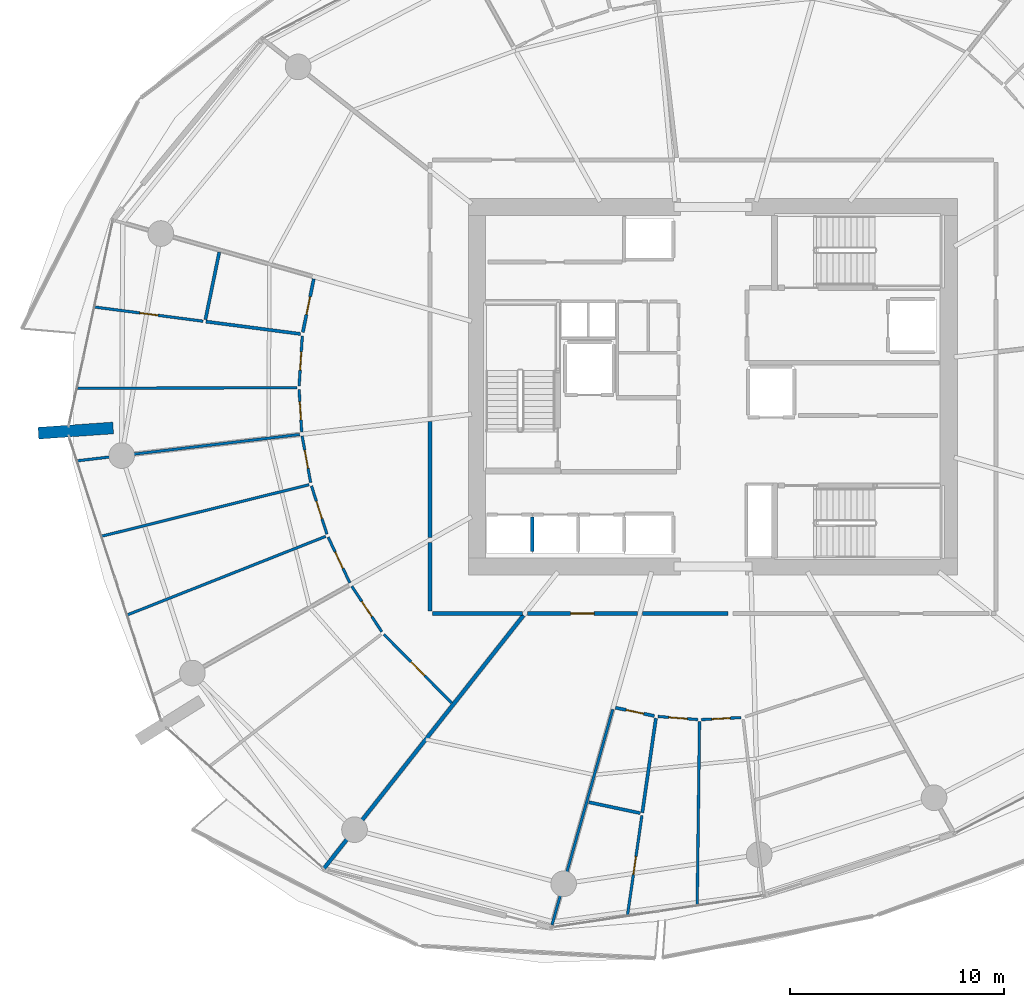
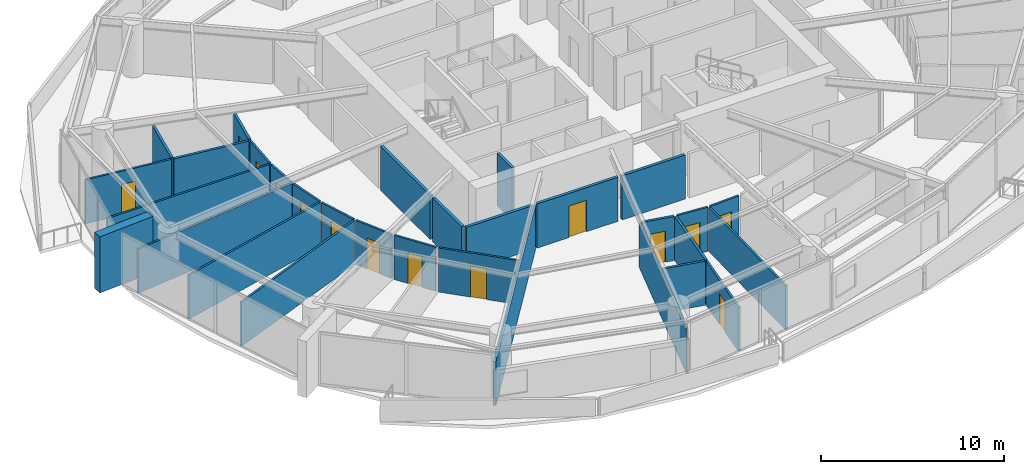
# One storey, part 11 of 23: 31 walls, 14 doors, 14 openings.
"""IFC4 building model written with IfcOpenShell, lengths in metres."""

from ifc_helpers import new_model, si_unit, direction, frame, frame_2d, origin, place, context, subcontext, project, spatial, rectangle, extrude, material, layer, layer_set, type_object, element, fill, save


model = new_model("IFC4")

# Units and contexts
model_context = context("Model", 3, precision=1e-05, world=origin(), true_north=direction((0.0, 1.0)))
body_context = subcontext(model_context, "Body", "Model", "MODEL_VIEW")
ifc_project = project(units=[si_unit("LENGTHUNIT", "METRE"), si_unit("AREAUNIT", "SQUARE_METRE"), si_unit("VOLUMEUNIT", "CUBIC_METRE"), si_unit("PLANEANGLEUNIT", "RADIAN"), si_unit("MASSUNIT", "GRAM", prefix="KILO")], contexts=[model_context])

# Site, building, storey
site_placement = place(None, origin())
site = spatial("IfcSite", under=ifc_project, at=site_placement, CompositionType="ELEMENT")
building_placement = place(site_placement, origin())
building = spatial("IfcBuilding", under=site, at=building_placement, Name="Kazma Halo Residences", CompositionType="ELEMENT")
storey_placement = place(building_placement, frame((0.0, 0.0, 97.64990234375)))
storey = spatial("IfcBuildingStorey", under=building, at=storey_placement, Name="L24", CompositionType="ELEMENT", Elevation=97.64990234375)

# Walls
ifc_material_1 = material(Name="Pale Concrete C60/75", Category="concrete")
ifc_layer_1 = layer(ifc_material_1, 0.550048828125)
ifc_layer_set_1 = layer_set([ifc_layer_1], Name="Pale Concrete C60/75")
wall_type_1 = type_object("IfcWallType", Name="WL-BLADE-550", PredefinedType="SOLIDWALL", material=ifc_layer_set_1)
wall_1_placement = place(storey_placement, frame((20.393798828125, 40.069580078125, 0.0), z_axis=(0.0, 0.0, 1.0), x_axis=(-0.997564163539, -0.069754853754, 0.0)))
element("IfcWall", 1, at=wall_1_placement, inside=storey, type_object=wall_type_1, Name="L24 pale concrete structural blade fin wall BW-02", PredefinedType="SOLIDWALL", context=body_context, shape_type="SweptSolid", body=[
    extrude(rectangle(XDim=3.5, YDim=0.550048828125, at=frame_2d((1.75, 0.0))), origin(), (0.0, 0.0, 1.0), 3.75),
])
ifc_material_2 = material(Name="Acoustic Twin-Stud Gypsum")
ifc_layer_2 = layer(ifc_material_2, 0.179931640625)
ifc_layer_set_2 = layer_set([ifc_layer_2], Name="Acoustic Twin-Stud Gypsum")
wall_type_2 = type_object("IfcWallType", Name="WL-DEM-180", PredefinedType="PARTITIONING", material=ifc_layer_set_2)
wall_2_placement = place(storey_placement, frame((39.575439453125, 31.313720703125, 0.0), z_axis=(0.0, 0.0, 1.0), x_axis=(-0.619083417853, -0.785325233098, 0.0)))
element("IfcWall", 2, at=wall_2_placement, inside=storey, type_object=wall_type_2, Name="L24 apartment demising radial wall 09", PredefinedType="PARTITIONING", context=body_context, shape_type="SweptSolid", body=[
    extrude(rectangle(XDim=15.063232421875, YDim=0.179931640625, at=frame_2d((7.53173828125, 0.0))), origin(), (0.0, 0.0, 1.0), 2.940185546875),
])
wall_3_placement = place(storey_placement, frame((35.199951171875, 40.364990234375, 0.0), z_axis=(0.0, 0.0, 1.0), x_axis=(0.0, -1.0, 0.0)))
element("IfcWall", 3, at=wall_3_placement, inside=storey, type_object=wall_type_2, Name="L24 Apartment 1 inner wall 7", PredefinedType="PARTITIONING", context=body_context, shape_type="SweptSolid", body=[
    extrude(rectangle(XDim=5.413330078125, YDim=0.179931640625, at=frame_2d((2.70654296875, 0.0))), origin(), (0.0, 0.0, 1.0), 2.940185546875),
])
wall_4_placement = place(storey_placement, frame((35.199951171875, 34.711669921875, 0.0), z_axis=(0.0, 0.0, 1.0), x_axis=(0.0, -1.0, 0.0)))
element("IfcWall", 4, at=wall_4_placement, inside=storey, type_object=wall_type_2, Name="L24 Apartment 1 inner wall 8", PredefinedType="PARTITIONING", context=body_context, shape_type="SweptSolid", body=[
    extrude(rectangle(XDim=3.191650390625, YDim=0.179931640625, at=frame_2d((1.595703125, 0.0))), origin(), (0.0, 0.0, 1.0), 2.940185546875),
])
wall_5_placement = place(storey_placement, frame((35.320068359375, 31.39990234375, 0.0), z_axis=(0.0, 0.0, 1.0), x_axis=(1.0, 0.0, 0.0)))
element("IfcWall", 5, at=wall_5_placement, inside=storey, type_object=wall_type_2, Name="L24 Apartment 1 inner wall 8", PredefinedType="PARTITIONING", context=body_context, shape_type="SweptSolid", body=[
    extrude(rectangle(XDim=4.20361328125, YDim=0.179931640625, at=frame_2d((2.101806640625, 0.0))), origin(), (0.0, 0.0, 1.0), 2.940185546875),
])

# Wall, opening, door
wall_6_placement = place(storey_placement, frame((39.763671875, 31.39990234375, 0.0), z_axis=(0.0, 0.0, 1.0), x_axis=(1.0, 0.0, 0.0)))
wall_6 = element("IfcWall", 6, at=wall_6_placement, inside=storey, type_object=wall_type_2, Name="L24 Apartment 2 entrance corridor wall", PredefinedType="PARTITIONING", context=body_context, shape_type="SweptSolid", body=[
    extrude(rectangle(XDim=5.126708984375, YDim=0.179931640625, at=frame_2d((2.5634765625, 0.0))), origin(), (0.0, 0.0, 1.0), 2.940185546875),
])
opening_1_placement = place(wall_6_placement, frame((2.013427734375, 0.0, 0.0)))
opening_1 = element("IfcOpeningElement", 7, at=opening_1_placement, cuts=wall_6, Name="Opening DA-1100", PredefinedType="OPENING", context=body_context, shape_type="SweptSolid", body=[
    extrude(rectangle(XDim=1.10009765625, YDim=2.10009765625, at=frame_2d((0.550048828125, 1.050048828125))), frame((0.0, 0.099853515625, 0.0), z_axis=(0.0, -1.0, 0.0), x_axis=(1.0, 0.0, 0.0)), (0.0, 0.0, 1.0), 0.199951171875),
])
ifc_material_3 = material(Name="Acoustic Walnut Fire Leaf")
door_type_1 = type_object("IfcDoorType", Name="DR-FD60-1100", OperationType="NOTDEFINED", PredefinedType="DOOR", material=ifc_material_3)
door_1_placement = place(opening_1_placement, origin())
door_1 = element("IfcDoor", 8, at=door_1_placement, inside=storey, type_object=door_type_1, Name="L24 Apartment 2 entrance fire door", OperationType="SINGLE_SWING_LEFT", OverallHeight=2.10009765625, OverallWidth=1.10009765625, PredefinedType="DOOR", context=body_context, shape_type="SweptSolid", body=[
    extrude(rectangle(XDim=1.10009765625, YDim=2.10009765625, at=frame_2d((0.550048828125, 1.050048828125))), frame((0.0, 0.02490234375, 0.0), z_axis=(0.0, -1.0, 0.0), x_axis=(1.0, 0.0, 0.0)), (0.0, 0.0, 1.0), 0.050048828125),
])
fill(opening_1, door_1)

# Walls
wall_7_placement = place(storey_placement, frame((45.130615234375, 31.39990234375, 0.0), z_axis=(0.0, 0.0, 1.0), x_axis=(1.0, 0.0, 0.0)))
element("IfcWall", 9, at=wall_7_placement, inside=storey, type_object=wall_type_2, Name="L24 Apartment 2 inner wall 10", PredefinedType="PARTITIONING", context=body_context, shape_type="SweptSolid", body=[
    extrude(rectangle(XDim=4.00390625, YDim=0.179931640625, at=frame_2d((2.001953125, 0.0))), origin(), (0.0, 0.0, 1.0), 2.940185546875),
])
ifc_material_4 = material(Name="Fire-Rated Blockwork Masonry", Category="masonry")
ifc_layer_3 = layer(ifc_material_4, 0.199951171875)
ifc_layer_set_3 = layer_set([ifc_layer_3], Name="Fire-Rated Blockwork Masonry")
wall_type_3 = type_object("IfcWallType", Name="WL-FLB-200", PredefinedType="PARTITIONING", material=ifc_layer_set_3)
wall_8_placement = place(storey_placement, frame((39.97509765625, 34.294921875, 0.0), z_axis=(0.0, 0.0, 1.0), x_axis=(0.0, 1.0, 0.0)))
element("IfcWall", 10, at=wall_8_placement, inside=storey, type_object=wall_type_3, Name="L24 lift shaft PL-01 side wall E", PredefinedType="PARTITIONING", context=body_context, shape_type="SweptSolid", body=[
    extrude(rectangle(XDim=1.610107421875, YDim=0.159912109375, at=frame_2d((0.80517578125, 0.0))), origin(), (0.0, 0.0, 1.0), 3.5),
])

# Wall, opening, door
ifc_material_5 = material(Name="Gypsum Plasterboard Partition")
ifc_layer_4 = layer(ifc_material_5, 0.125)
ifc_layer_set_4 = layer_set([ifc_layer_4], Name="Gypsum Plasterboard Partition")
wall_type_4 = type_object("IfcWallType", Name="WL-PART-125", PredefinedType="PARTITIONING", material=ifc_layer_set_4)
wall_9_placement = place(storey_placement, frame((24.60009765625, 45.058837890625, 0.0), z_axis=(0.0, 0.0, 1.0), x_axis=(-0.991566000337, 0.129602727501, 0.0)))
wall_9 = element("IfcWall", 11, at=wall_9_placement, inside=storey, type_object=wall_type_4, Name="L24 Apartment 1 Household Store Room partition wall", PredefinedType="PARTITIONING", context=body_context, shape_type="SweptSolid", body=[
    extrude(rectangle(XDim=5.108642578125, YDim=0.125, at=frame_2d((2.55419921875, 0.0))), origin(), (0.0, 0.0, 1.0), 2.940185546875),
])
opening_2_placement = place(wall_9_placement, frame((2.12939453125, 0.0, 0.0)))
opening_2 = element("IfcOpeningElement", 12, at=opening_2_placement, cuts=wall_9, Name="Opening DB-900", PredefinedType="OPENING", context=body_context, shape_type="SweptSolid", body=[
    extrude(rectangle(XDim=0.85009765625, YDim=2.06005859375, at=frame_2d((0.425048828125, 1.030029296875))), frame((0.0, 0.072509765625, 0.0), z_axis=(0.0, -1.0, 0.0), x_axis=(1.0, 0.0, 0.0)), (0.0, 0.0, 1.0), 0.14501953125),
])
ifc_material_6 = material(Name="Moisture-Sealed Timber Leaf", Category="wood")
door_type_2 = type_object("IfcDoorType", Name="DR-BTH-900", OperationType="NOTDEFINED", PredefinedType="DOOR", material=ifc_material_6)
door_2_placement = place(opening_2_placement, origin())
door_2 = element("IfcDoor", 13, at=door_2_placement, inside=storey, type_object=door_type_2, Name="L24 Apartment 1 Household Store Room door", OperationType="SINGLE_SWING_RIGHT", OverallHeight=2.06005859375, OverallWidth=0.85009765625, PredefinedType="DOOR", context=body_context, shape_type="SweptSolid", body=[
    extrude(rectangle(XDim=0.85009765625, YDim=2.06005859375, at=frame_2d((0.425048828125, 1.030029296875))), frame((0.0, 0.02490234375, 0.0), z_axis=(0.0, -1.0, 0.0), x_axis=(1.0, 0.0, 0.0)), (0.0, 0.0, 1.0), 0.050048828125),
])
fill(opening_2, door_2)

# Wall
wall_10_placement = place(storey_placement, frame((28.9912109375, 41.950927734375, 0.0), z_axis=(0.0, 0.0, 1.0), x_axis=(-0.999996643903, -0.002590788034, 0.0)))
element("IfcWall", 14, at=wall_10_placement, inside=storey, type_object=wall_type_4, Name="L24 Apartment 1 suite divider 6", PredefinedType="PARTITIONING", context=body_context, shape_type="SweptSolid", body=[
    extrude(rectangle(XDim=10.271484375, YDim=0.125, at=frame_2d((5.1357421875, 0.0))), origin(), (0.0, 0.0, 1.0), 2.940185546875),
])

# Wall, opening, door
wall_11_placement = place(storey_placement, frame((29.23486328125, 44.3623046875, 0.0), z_axis=(0.0, 0.0, 1.0), x_axis=(-0.063647003528, -0.99797247404, 0.0)))
wall_11 = element("IfcWall", 15, at=wall_11_placement, inside=storey, type_object=wall_type_4, Name="L24 Apartment 1 Gourmet Kitchen hall wall", PredefinedType="PARTITIONING", context=body_context, shape_type="SweptSolid", body=[
    extrude(rectangle(XDim=2.3359375, YDim=0.125, at=frame_2d((1.16796875, 0.0))), origin(), (0.0, 0.0, 1.0), 2.940185546875),
])
opening_3_placement = place(wall_11_placement, frame((0.7431640625, 0.0, 0.0)))
opening_3 = element("IfcOpeningElement", 16, at=opening_3_placement, cuts=wall_11, Name="Opening DB-900", PredefinedType="OPENING", context=body_context, shape_type="SweptSolid", body=[
    extrude(rectangle(XDim=0.85009765625, YDim=2.06005859375, at=frame_2d((0.425048828125, 1.030029296875))), frame((0.0, 0.072509765625, 0.0), z_axis=(0.0, -1.0, 0.0), x_axis=(1.0, 0.0, 0.0)), (0.0, 0.0, 1.0), 0.14501953125),
])
door_3_placement = place(opening_3_placement, origin())
door_3 = element("IfcDoor", 17, at=door_3_placement, inside=storey, type_object=door_type_2, Name="L24 Apartment 1 Gourmet Kitchen door", OperationType="SINGLE_SWING_LEFT", OverallHeight=2.06005859375, OverallWidth=0.85009765625, PredefinedType="DOOR", context=body_context, shape_type="SweptSolid", body=[
    extrude(rectangle(XDim=0.85009765625, YDim=2.06005859375, at=frame_2d((0.425048828125, 1.030029296875))), frame((0.0, 0.02490234375, 0.0), z_axis=(0.0, -1.0, 0.0), x_axis=(1.0, 0.0, 0.0)), (0.0, 0.0, 1.0), 0.050048828125),
])
fill(opening_3, door_3)

wall_12_placement = place(storey_placement, frame((29.0859375, 41.87109375, 0.0), z_axis=(0.0, 0.0, 1.0), x_axis=(0.060104090143, -0.99819211495, 0.0)))
wall_12 = element("IfcWall", 18, at=wall_12_placement, inside=storey, type_object=wall_type_4, Name="L24 Apartment 1 Primary Bedroom hall wall", PredefinedType="PARTITIONING", context=body_context, shape_type="SweptSolid", body=[
    extrude(rectangle(XDim=1.99853515625, YDim=0.125, at=frame_2d((0.999267578125, 0.0))), origin(), (0.0, 0.0, 1.0), 2.940185546875),
])
opening_4_placement = place(wall_12_placement, frame((0.574462890625, 0.0, 0.0)))
opening_4 = element("IfcOpeningElement", 19, at=opening_4_placement, cuts=wall_12, Name="Opening DB-900", PredefinedType="OPENING", context=body_context, shape_type="SweptSolid", body=[
    extrude(rectangle(XDim=0.85009765625, YDim=2.06005859375, at=frame_2d((0.425048828125, 1.030029296875))), frame((0.0, 0.072509765625, 0.0), z_axis=(0.0, -1.0, 0.0), x_axis=(1.0, 0.0, 0.0)), (0.0, 0.0, 1.0), 0.14501953125),
])
door_4_placement = place(opening_4_placement, origin())
door_4 = element("IfcDoor", 20, at=door_4_placement, inside=storey, type_object=door_type_2, Name="L24 Apartment 1 Primary Bedroom door", OperationType="SINGLE_SWING_RIGHT", OverallHeight=2.06005859375, OverallWidth=0.85009765625, PredefinedType="DOOR", context=body_context, shape_type="SweptSolid", body=[
    extrude(rectangle(XDim=0.85009765625, YDim=2.06005859375, at=frame_2d((0.425048828125, 1.030029296875))), frame((0.0, 0.02490234375, 0.0), z_axis=(0.0, -1.0, 0.0), x_axis=(1.0, 0.0, 0.0)), (0.0, 0.0, 1.0), 0.050048828125),
])
fill(opening_4, door_4)

# Walls
wall_13_placement = place(storey_placement, frame((29.11279296875, 39.764404296875, 0.0), z_axis=(0.0, 0.0, 1.0), x_axis=(-0.993070875002, -0.117516965677, 0.0)))
element("IfcWall", 21, at=wall_13_placement, inside=storey, type_object=wall_type_4, Name="L24 Apartment 1 radial partition 7", PredefinedType="PARTITIONING", context=body_context, shape_type="SweptSolid", body=[
    extrude(rectangle(XDim=10.460205078125, YDim=0.125, at=frame_2d((5.22998046875, 0.0))), origin(), (0.0, 0.0, 1.0), 2.940185546875),
])
wall_14_placement = place(storey_placement, frame((29.5517578125, 37.41748046875, 0.0), z_axis=(0.0, 0.0, 1.0), x_axis=(-0.970504192203, -0.241084244437, 0.0)))
element("IfcWall", 22, at=wall_14_placement, inside=storey, type_object=wall_type_4, Name="L24 Apartment 1 bay wall 1 7", PredefinedType="PARTITIONING", context=body_context, shape_type="SweptSolid", body=[
    extrude(rectangle(XDim=9.975830078125, YDim=0.125, at=frame_2d((4.98779296875, 0.0))), origin(), (0.0, 0.0, 1.0), 2.940185546875),
])
wall_15_placement = place(storey_placement, frame((30.325927734375, 35.00244140625, 0.0), z_axis=(0.0, 0.0, 1.0), x_axis=(-0.929777602375, -0.368121732748, 0.0)))
element("IfcWall", 23, at=wall_15_placement, inside=storey, type_object=wall_type_4, Name="L24 Apartment 1 bay wall 2 7", PredefinedType="PARTITIONING", context=body_context, shape_type="SweptSolid", body=[
    extrude(rectangle(XDim=9.960693359375, YDim=0.125, at=frame_2d((4.98046875, 0.0))), origin(), (0.0, 0.0, 1.0), 2.940185546875),
])

# Wall, opening, door
wall_16_placement = place(storey_placement, frame((29.2265625, 39.697509765625, 0.0), z_axis=(0.0, 0.0, 1.0), x_axis=(0.179602920825, -0.983739188419, 0.0)))
wall_16 = element("IfcWall", 24, at=wall_16_placement, inside=storey, type_object=wall_type_4, Name="L24 Apartment 1 East Bedroom hall wall", PredefinedType="PARTITIONING", context=body_context, shape_type="SweptSolid", body=[
    extrude(rectangle(XDim=2.2158203125, YDim=0.125, at=frame_2d((1.10791015625, 0.0))), origin(), (0.0, 0.0, 1.0), 2.940185546875),
])
opening_5_placement = place(wall_16_placement, frame((0.682861328125, 0.0, 0.0)))
opening_5 = element("IfcOpeningElement", 25, at=opening_5_placement, cuts=wall_16, Name="Opening DB-900", PredefinedType="OPENING", context=body_context, shape_type="SweptSolid", body=[
    extrude(rectangle(XDim=0.85009765625, YDim=2.06005859375, at=frame_2d((0.425048828125, 1.030029296875))), frame((0.0, 0.072509765625, 0.0), z_axis=(0.0, -1.0, 0.0), x_axis=(1.0, 0.0, 0.0)), (0.0, 0.0, 1.0), 0.14501953125),
])
door_5_placement = place(opening_5_placement, origin())
door_5 = element("IfcDoor", 26, at=door_5_placement, inside=storey, type_object=door_type_2, Name="L24 Apartment 1 East Bedroom door", OperationType="SINGLE_SWING_LEFT", OverallHeight=2.06005859375, OverallWidth=0.85009765625, PredefinedType="DOOR", context=body_context, shape_type="SweptSolid", body=[
    extrude(rectangle(XDim=0.85009765625, YDim=2.06005859375, at=frame_2d((0.425048828125, 1.030029296875))), frame((0.0, 0.02490234375, 0.0), z_axis=(0.0, -1.0, 0.0), x_axis=(1.0, 0.0, 0.0)), (0.0, 0.0, 1.0), 0.050048828125),
])
fill(opening_5, door_5)

wall_17_placement = place(storey_placement, frame((29.663330078125, 37.36279296875, 0.0), z_axis=(0.0, 0.0, 1.0), x_axis=(0.305393983716, -0.952226083822, 0.0)))
wall_17 = element("IfcWall", 27, at=wall_17_placement, inside=storey, type_object=wall_type_4, Name="L24 Apartment 1 West Study hall wall", PredefinedType="PARTITIONING", context=body_context, shape_type="SweptSolid", body=[
    extrude(rectangle(XDim=2.364013671875, YDim=0.125, at=frame_2d((1.18212890625, 0.0))), origin(), (0.0, 0.0, 1.0), 2.940185546875),
])
opening_6_placement = place(wall_17_placement, frame((0.757080078125, 0.0, 0.0)))
opening_6 = element("IfcOpeningElement", 28, at=opening_6_placement, cuts=wall_17, Name="Opening DB-900", PredefinedType="OPENING", context=body_context, shape_type="SweptSolid", body=[
    extrude(rectangle(XDim=0.85009765625, YDim=2.06005859375, at=frame_2d((0.425048828125, 1.030029296875))), frame((0.0, 0.072509765625, 0.0), z_axis=(0.0, -1.0, 0.0), x_axis=(1.0, 0.0, 0.0)), (0.0, 0.0, 1.0), 0.14501953125),
])
door_6_placement = place(opening_6_placement, origin())
door_6 = element("IfcDoor", 29, at=door_6_placement, inside=storey, type_object=door_type_2, Name="L24 Apartment 1 West Study door", OperationType="SINGLE_SWING_RIGHT", OverallHeight=2.06005859375, OverallWidth=0.85009765625, PredefinedType="DOOR", context=body_context, shape_type="SweptSolid", body=[
    extrude(rectangle(XDim=0.85009765625, YDim=2.06005859375, at=frame_2d((0.425048828125, 1.030029296875))), frame((0.0, 0.02490234375, 0.0), z_axis=(0.0, -1.0, 0.0), x_axis=(1.0, 0.0, 0.0)), (0.0, 0.0, 1.0), 0.050048828125),
])
fill(opening_6, door_6)

wall_18_placement = place(storey_placement, frame((30.44384765625, 34.963134765625, 0.0), z_axis=(0.0, 0.0, 1.0), x_axis=(0.429404357622, -0.903112339443, 0.0)))
wall_18 = element("IfcWall", 30, at=wall_18_placement, inside=storey, type_object=wall_type_4, Name="L24 Apartment 1 North Bedroom hall wall", PredefinedType="PARTITIONING", context=body_context, shape_type="SweptSolid", body=[
    extrude(rectangle(XDim=2.364013671875, YDim=0.125, at=frame_2d((1.18212890625, 0.0))), origin(), (0.0, 0.0, 1.0), 2.940185546875),
])
opening_7_placement = place(wall_18_placement, frame((0.757080078125, 0.0, 0.0)))
opening_7 = element("IfcOpeningElement", 31, at=opening_7_placement, cuts=wall_18, Name="Opening DB-900", PredefinedType="OPENING", context=body_context, shape_type="SweptSolid", body=[
    extrude(rectangle(XDim=0.85009765625, YDim=2.06005859375, at=frame_2d((0.425048828125, 1.030029296875))), frame((0.0, 0.072509765625, 0.0), z_axis=(0.0, -1.0, 0.0), x_axis=(1.0, 0.0, 0.0)), (0.0, 0.0, 1.0), 0.14501953125),
])
door_7_placement = place(opening_7_placement, origin())
door_7 = element("IfcDoor", 32, at=door_7_placement, inside=storey, type_object=door_type_2, Name="L24 Apartment 1 North Bedroom door", OperationType="SINGLE_SWING_LEFT", OverallHeight=2.06005859375, OverallWidth=0.85009765625, PredefinedType="DOOR", context=body_context, shape_type="SweptSolid", body=[
    extrude(rectangle(XDim=0.85009765625, YDim=2.06005859375, at=frame_2d((0.425048828125, 1.030029296875))), frame((0.0, 0.02490234375, 0.0), z_axis=(0.0, -1.0, 0.0), x_axis=(1.0, 0.0, 0.0)), (0.0, 0.0, 1.0), 0.050048828125),
])
fill(opening_7, door_7)

wall_19_placement = place(storey_placement, frame((31.548095703125, 32.67236328125, 0.0), z_axis=(0.0, 0.0, 1.0), x_axis=(0.550387635728, -0.834909246827, 0.0)))
wall_19 = element("IfcWall", 33, at=wall_19_placement, inside=storey, type_object=wall_type_4, Name="L24 Apartment 1 South Wine Pantry Store hall wall", PredefinedType="PARTITIONING", context=body_context, shape_type="SweptSolid", body=[
    extrude(rectangle(XDim=2.552001953125, YDim=0.125, at=frame_2d((1.27587890625, 0.0))), origin(), (0.0, 0.0, 1.0), 2.940185546875),
])
opening_8_placement = place(wall_19_placement, frame((0.850830078125, 0.0, 0.0)))
opening_8 = element("IfcOpeningElement", 34, at=opening_8_placement, cuts=wall_19, Name="Opening DB-900", PredefinedType="OPENING", context=body_context, shape_type="SweptSolid", body=[
    extrude(rectangle(XDim=0.85009765625, YDim=2.06005859375, at=frame_2d((0.425048828125, 1.030029296875))), frame((0.0, 0.072509765625, 0.0), z_axis=(0.0, -1.0, 0.0), x_axis=(1.0, 0.0, 0.0)), (0.0, 0.0, 1.0), 0.14501953125),
])
door_8_placement = place(opening_8_placement, origin())
door_8 = element("IfcDoor", 35, at=door_8_placement, inside=storey, type_object=door_type_2, Name="L24 Apartment 1 South Wine Pantry Store door", OperationType="SINGLE_SWING_LEFT", OverallHeight=2.06005859375, OverallWidth=0.85009765625, PredefinedType="DOOR", context=body_context, shape_type="SweptSolid", body=[
    extrude(rectangle(XDim=0.85009765625, YDim=2.06005859375, at=frame_2d((0.425048828125, 1.030029296875))), frame((0.0, 0.02490234375, 0.0), z_axis=(0.0, -1.0, 0.0), x_axis=(1.0, 0.0, 0.0)), (0.0, 0.0, 1.0), 0.050048828125),
])
fill(opening_8, door_8)

wall_20_placement = place(storey_placement, frame((33.052734375, 30.418212890625, 0.0), z_axis=(0.0, 0.0, 1.0), x_axis=(0.702647387595, -0.711538227157, 0.0)))
wall_20 = element("IfcWall", 36, at=wall_20_placement, inside=storey, type_object=wall_type_4, Name="L24 Apartment 1 Inner Formal Dining Room hall wall", PredefinedType="PARTITIONING", context=body_context, shape_type="SweptSolid", body=[
    extrude(rectangle(XDim=4.50341796875, YDim=0.125, at=frame_2d((2.251708984375, 0.0))), origin(), (0.0, 0.0, 1.0), 2.940185546875),
])
opening_9_placement = place(wall_20_placement, frame((1.8017578125, 0.0, 0.0)))
opening_9 = element("IfcOpeningElement", 37, at=opening_9_placement, cuts=wall_20, Name="Opening DI-950", PredefinedType="OPENING", context=body_context, shape_type="SweptSolid", body=[
    extrude(rectangle(XDim=0.89990234375, YDim=2.080078125, at=frame_2d((0.449951171875, 1.0400390625))), frame((0.0, 0.072509765625, 0.0), z_axis=(0.0, -1.0, 0.0), x_axis=(1.0, 0.0, 0.0)), (0.0, 0.0, 1.0), 0.14501953125),
])
ifc_material_7 = material(Name="Timber Veneer Flush Leaf", Category="wood")
door_type_3 = type_object("IfcDoorType", Name="DR-INT-950", OperationType="NOTDEFINED", PredefinedType="DOOR", material=ifc_material_7)
door_9_placement = place(opening_9_placement, origin())
door_9 = element("IfcDoor", 38, at=door_9_placement, inside=storey, type_object=door_type_3, Name="L24 Apartment 1 Inner Formal Dining Room door", OperationType="SINGLE_SWING_RIGHT", OverallHeight=2.080078125, OverallWidth=0.89990234375, PredefinedType="DOOR", context=body_context, shape_type="SweptSolid", body=[
    extrude(rectangle(XDim=0.89990234375, YDim=2.080078125, at=frame_2d((0.449951171875, 1.0400390625))), frame((0.0, 0.02490234375, 0.0), z_axis=(0.0, -1.0, 0.0), x_axis=(1.0, 0.0, 0.0)), (0.0, 0.0, 1.0), 0.050048828125),
])
fill(opening_9, door_9)

# Wall
wall_21_placement = place(storey_placement, frame((43.7470703125, 26.92041015625, 0.0), z_axis=(0.0, 0.0, 1.0), x_axis=(-0.271445765154, -0.962453737371, 0.0)))
element("IfcWall", 39, at=wall_21_placement, inside=storey, type_object=wall_type_4, Name="L24 Apartment 2 radial partition 10", PredefinedType="PARTITIONING", context=body_context, shape_type="SweptSolid", body=[
    extrude(rectangle(XDim=10.469970703125, YDim=0.125, at=frame_2d((5.23486328125, 0.0))), origin(), (0.0, 0.0, 1.0), 2.940185546875),
])

# Wall, opening, door
wall_22_placement = place(storey_placement, frame((45.107666015625, 21.959716796875, 0.0), z_axis=(0.0, 0.0, 1.0), x_axis=(-0.142860663544, -0.989742810437, 0.0)))
wall_22 = element("IfcWall", 40, at=wall_22_placement, inside=storey, type_object=wall_type_4, Name="L24 Apartment 2 Utility Laundry Room partition wall", PredefinedType="PARTITIONING", context=body_context, shape_type="SweptSolid", body=[
    extrude(rectangle(XDim=4.725341796875, YDim=0.125, at=frame_2d((2.36279296875, 0.0))), origin(), (0.0, 0.0, 1.0), 2.940185546875),
])
opening_10_placement = place(wall_22_placement, frame((1.9375, 0.0, 0.0)))
opening_10 = element("IfcOpeningElement", 41, at=opening_10_placement, cuts=wall_22, Name="Opening DB-900", PredefinedType="OPENING", context=body_context, shape_type="SweptSolid", body=[
    extrude(rectangle(XDim=0.85009765625, YDim=2.06005859375, at=frame_2d((0.425048828125, 1.030029296875))), frame((0.0, 0.072509765625, 0.0), z_axis=(0.0, -1.0, 0.0), x_axis=(1.0, 0.0, 0.0)), (0.0, 0.0, 1.0), 0.14501953125),
])
door_10_placement = place(opening_10_placement, origin())
door_10 = element("IfcDoor", 42, at=door_10_placement, inside=storey, type_object=door_type_2, Name="L24 Apartment 2 Utility Laundry Room door", OperationType="SINGLE_SWING_RIGHT", OverallHeight=2.06005859375, OverallWidth=0.85009765625, PredefinedType="DOOR", context=body_context, shape_type="SweptSolid", body=[
    extrude(rectangle(XDim=0.85009765625, YDim=2.06005859375, at=frame_2d((0.425048828125, 1.030029296875))), frame((0.0, 0.02490234375, 0.0), z_axis=(0.0, -1.0, 0.0), x_axis=(1.0, 0.0, 0.0)), (0.0, 0.0, 1.0), 0.050048828125),
])
fill(opening_10, door_10)

# Wall
wall_23_placement = place(storey_placement, frame((47.80029296875, 26.34326171875, 0.0), z_axis=(0.0, 0.0, 1.0), x_axis=(-0.012762129717, -0.999918560706, 0.0)))
element("IfcWall", 43, at=wall_23_placement, inside=storey, type_object=wall_type_4, Name="L24 Apartment 2 suite divider 10", PredefinedType="PARTITIONING", context=body_context, shape_type="SweptSolid", body=[
    extrude(rectangle(XDim=8.5703125, YDim=0.125, at=frame_2d((4.28515625, 0.0))), origin(), (0.0, 0.0, 1.0), 2.940185546875),
])

# Wall, opening, door
wall_24_placement = place(storey_placement, frame((45.865966796875, 26.584716796875, 0.0), z_axis=(0.0, 0.0, 1.0), x_axis=(0.996949395434, -0.078050643458, 0.0)))
wall_24 = element("IfcWall", 44, at=wall_24_placement, inside=storey, type_object=wall_type_4, Name="L24 Apartment 2 Gourmet Kitchen hall wall", PredefinedType="PARTITIONING", context=body_context, shape_type="SweptSolid", body=[
    extrude(rectangle(XDim=1.861083984375, YDim=0.125, at=frame_2d((0.9306640625, 0.0))), origin(), (0.0, 0.0, 1.0), 2.940185546875),
])
opening_11_placement = place(wall_24_placement, frame((0.505615234375, 0.0, 0.0)))
opening_11 = element("IfcOpeningElement", 45, at=opening_11_placement, cuts=wall_24, Name="Opening DB-900", PredefinedType="OPENING", context=body_context, shape_type="SweptSolid", body=[
    extrude(rectangle(XDim=0.85009765625, YDim=2.06005859375, at=frame_2d((0.425048828125, 1.030029296875))), frame((0.0, 0.072509765625, 0.0), z_axis=(0.0, -1.0, 0.0), x_axis=(1.0, 0.0, 0.0)), (0.0, 0.0, 1.0), 0.14501953125),
])
door_11_placement = place(opening_11_placement, origin())
door_11 = element("IfcDoor", 46, at=door_11_placement, inside=storey, type_object=door_type_2, Name="L24 Apartment 2 Gourmet Kitchen door", OperationType="SINGLE_SWING_LEFT", OverallHeight=2.06005859375, OverallWidth=0.85009765625, PredefinedType="DOOR", context=body_context, shape_type="SweptSolid", body=[
    extrude(rectangle(XDim=0.85009765625, YDim=2.06005859375, at=frame_2d((0.425048828125, 1.030029296875))), frame((0.0, 0.02490234375, 0.0), z_axis=(0.0, -1.0, 0.0), x_axis=(1.0, 0.0, 0.0)), (0.0, 0.0, 1.0), 0.050048828125),
])
fill(opening_11, door_11)

wall_25_placement = place(storey_placement, frame((47.881103515625, 26.4375, 0.0), z_axis=(0.0, 0.0, 1.0), x_axis=(0.998621833411, 0.052482700343, 0.0)))
wall_25 = element("IfcWall", 47, at=wall_25_placement, inside=storey, type_object=wall_type_4, Name="L24 Apartment 2 Primary Bedroom hall wall", PredefinedType="PARTITIONING", context=body_context, shape_type="SweptSolid", body=[
    extrude(rectangle(XDim=1.851318359375, YDim=0.125, at=frame_2d((0.92578125, 0.0))), origin(), (0.0, 0.0, 1.0), 2.940185546875),
])
opening_12_placement = place(wall_25_placement, frame((0.50048828125, 0.0, 0.0)))
opening_12 = element("IfcOpeningElement", 48, at=opening_12_placement, cuts=wall_25, Name="Opening DB-900", PredefinedType="OPENING", context=body_context, shape_type="SweptSolid", body=[
    extrude(rectangle(XDim=0.85009765625, YDim=2.06005859375, at=frame_2d((0.425048828125, 1.030029296875))), frame((0.0, 0.072509765625, 0.0), z_axis=(0.0, -1.0, 0.0), x_axis=(1.0, 0.0, 0.0)), (0.0, 0.0, 1.0), 0.14501953125),
])
door_12_placement = place(opening_12_placement, origin())
door_12 = element("IfcDoor", 49, at=door_12_placement, inside=storey, type_object=door_type_2, Name="L24 Apartment 2 Primary Bedroom door", OperationType="SINGLE_SWING_RIGHT", OverallHeight=2.06005859375, OverallWidth=0.85009765625, PredefinedType="DOOR", context=body_context, shape_type="SweptSolid", body=[
    extrude(rectangle(XDim=0.85009765625, YDim=2.06005859375, at=frame_2d((0.425048828125, 1.030029296875))), frame((0.0, 0.02490234375, 0.0), z_axis=(0.0, -1.0, 0.0), x_axis=(1.0, 0.0, 0.0)), (0.0, 0.0, 1.0), 0.050048828125),
])
fill(opening_12, door_12)

ifc_material_8 = material(Name="Moisture-Resistant Gypsum")
ifc_layer_5 = layer(ifc_material_8, 0.14990234375)
ifc_layer_set_5 = layer_set([ifc_layer_5], Name="Moisture-Resistant Gypsum")
wall_type_5 = type_object("IfcWallType", Name="WL-WET-150", PredefinedType="PARTITIONING", material=ifc_layer_set_5)
wall_26_placement = place(storey_placement, frame((29.771240234375, 47.037353515625, 0.0), z_axis=(0.0, 0.0, 1.0), x_axis=(-0.201031337284, -0.979584810739, 0.0)))
wall_26 = element("IfcWall", 50, at=wall_26_placement, inside=storey, type_object=wall_type_5, Name="L24 Apartment 1 Guest Bathroom hall wall", PredefinedType="PARTITIONING", context=body_context, shape_type="SweptSolid", body=[
    extrude(rectangle(XDim=2.549072265625, YDim=0.14990234375, at=frame_2d((1.2744140625, 0.0))), origin(), (0.0, 0.0, 1.0), 2.940185546875),
])
opening_13_placement = place(wall_26_placement, frame((0.849609375, 0.0, 0.0)))
opening_13 = element("IfcOpeningElement", 51, at=opening_13_placement, cuts=wall_26, Name="Opening DB-900", PredefinedType="OPENING", context=body_context, shape_type="SweptSolid", body=[
    extrude(rectangle(XDim=0.85009765625, YDim=2.06005859375, at=frame_2d((0.425048828125, 1.030029296875))), frame((0.0, 0.0849609375, 0.0), z_axis=(0.0, -1.0, 0.0), x_axis=(1.0, 0.0, 0.0)), (0.0, 0.0, 1.0), 0.169921875),
])
door_13_placement = place(opening_13_placement, origin())
door_13 = element("IfcDoor", 52, at=door_13_placement, inside=storey, type_object=door_type_2, Name="L24 Apartment 1 Guest Bathroom door", OperationType="SINGLE_SWING_LEFT", OverallHeight=2.06005859375, OverallWidth=0.85009765625, PredefinedType="DOOR", context=body_context, shape_type="SweptSolid", body=[
    extrude(rectangle(XDim=0.85009765625, YDim=2.06005859375, at=frame_2d((0.425048828125, 1.030029296875))), frame((0.0, 0.02490234375, 0.0), z_axis=(0.0, -1.0, 0.0), x_axis=(1.0, 0.0, 0.0)), (0.0, 0.0, 1.0), 0.050048828125),
])
fill(opening_13, door_13)

# Walls
wall_27_placement = place(storey_placement, frame((25.353515625, 48.283203125, 0.0), z_axis=(0.0, 0.0, 1.0), x_axis=(-0.201037617238, -0.979583521939, 0.0)))
element("IfcWall", 53, at=wall_27_placement, inside=storey, type_object=wall_type_5, Name="L24 Apartment 1 Guest Bathroom back wall", PredefinedType="PARTITIONING", context=body_context, shape_type="SweptSolid", body=[
    extrude(rectangle(XDim=3.21337890625, YDim=0.14990234375, at=frame_2d((1.606689453125, 0.0))), origin(), (0.0, 0.0, 1.0), 2.940185546875),
])
wall_28_placement = place(storey_placement, frame((29.1513671875, 44.4638671875, 0.0), z_axis=(0.0, 0.0, 1.0), x_axis=(-0.991563130501, 0.129624682181, 0.0)))
element("IfcWall", 54, at=wall_28_placement, inside=storey, type_object=wall_type_5, Name="L24 Apartment 1 Guest Bathroom side wall", PredefinedType="PARTITIONING", context=body_context, shape_type="SweptSolid", body=[
    extrude(rectangle(XDim=4.4599609375, YDim=0.14990234375, at=frame_2d((2.22998046875, 0.0))), origin(), (0.0, 0.0, 1.0), 2.940185546875),
])

# Wall, opening, door
wall_29_placement = place(storey_placement, frame((43.8720703125, 26.99560546875, 0.0), z_axis=(0.0, 0.0, 1.0), x_axis=(0.978233316216, -0.207508021641, 0.0)))
wall_29 = element("IfcWall", 55, at=wall_29_placement, inside=storey, type_object=wall_type_5, Name="L24 Apartment 2 Guest Bathroom hall wall", PredefinedType="PARTITIONING", context=body_context, shape_type="SweptSolid", body=[
    extrude(rectangle(XDim=1.856689453125, YDim=0.14990234375, at=frame_2d((0.92822265625, 0.0))), origin(), (0.0, 0.0, 1.0), 2.940185546875),
])
opening_14_placement = place(wall_29_placement, frame((0.50341796875, 0.0, 0.0)))
opening_14 = element("IfcOpeningElement", 56, at=opening_14_placement, cuts=wall_29, Name="Opening DB-900", PredefinedType="OPENING", context=body_context, shape_type="SweptSolid", body=[
    extrude(rectangle(XDim=0.85009765625, YDim=2.06005859375, at=frame_2d((0.425048828125, 1.030029296875))), frame((0.0, 0.0849609375, 0.0), z_axis=(0.0, -1.0, 0.0), x_axis=(1.0, 0.0, 0.0)), (0.0, 0.0, 1.0), 0.169921875),
])
door_14_placement = place(opening_14_placement, origin())
door_14 = element("IfcDoor", 57, at=door_14_placement, inside=storey, type_object=door_type_2, Name="L24 Apartment 2 Guest Bathroom door", OperationType="SINGLE_SWING_LEFT", OverallHeight=2.06005859375, OverallWidth=0.85009765625, PredefinedType="DOOR", context=body_context, shape_type="SweptSolid", body=[
    extrude(rectangle(XDim=0.85009765625, YDim=2.06005859375, at=frame_2d((0.425048828125, 1.030029296875))), frame((0.0, 0.02490234375, 0.0), z_axis=(0.0, -1.0, 0.0), x_axis=(1.0, 0.0, 0.0)), (0.0, 0.0, 1.0), 0.050048828125),
])
fill(opening_14, door_14)

# Walls
wall_30_placement = place(storey_placement, frame((42.626220703125, 22.577880859375, 0.0), z_axis=(0.0, 0.0, 1.0), x_axis=(0.978227408947, -0.207535867706, 0.0)))
element("IfcWall", 58, at=wall_30_placement, inside=storey, type_object=wall_type_5, Name="L24 Apartment 2 Guest Bathroom back wall", PredefinedType="PARTITIONING", context=body_context, shape_type="SweptSolid", body=[
    extrude(rectangle(XDim=2.459716796875, YDim=0.14990234375, at=frame_2d((1.22998046875, 0.0))), origin(), (0.0, 0.0, 1.0), 2.940185546875),
])
wall_31_placement = place(storey_placement, frame((45.76318359375, 26.50244140625, 0.0), z_axis=(0.0, 0.0, 1.0), x_axis=(-0.142823722461, -0.989748141853, 0.0)))
element("IfcWall", 59, at=wall_31_placement, inside=storey, type_object=wall_type_5, Name="L24 Apartment 2 Guest Bathroom side wall", PredefinedType="PARTITIONING", context=body_context, shape_type="SweptSolid", body=[
    extrude(rectangle(XDim=4.459716796875, YDim=0.14990234375, at=frame_2d((2.22998046875, 0.0))), origin(), (0.0, 0.0, 1.0), 2.940185546875),
])

save(model, "model.ifc")
